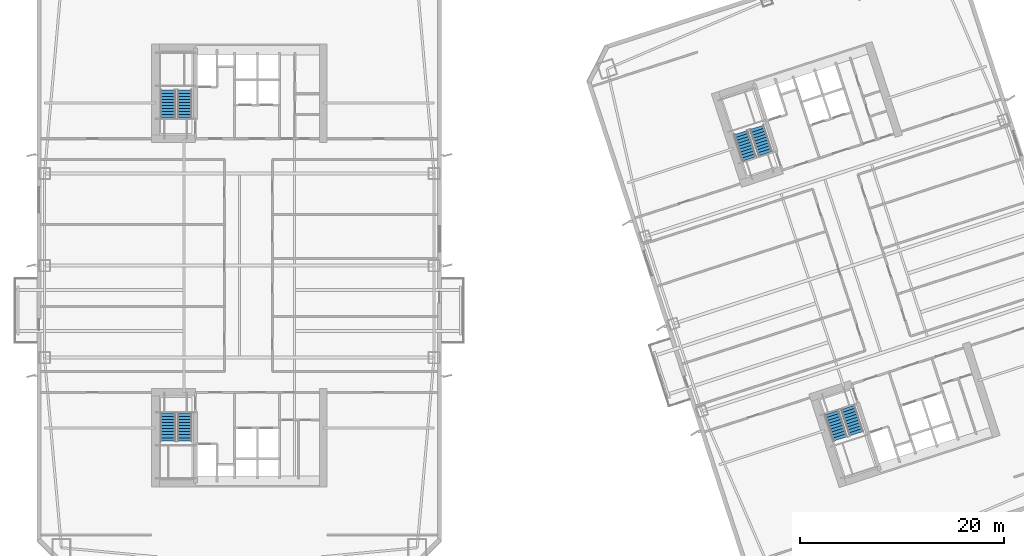
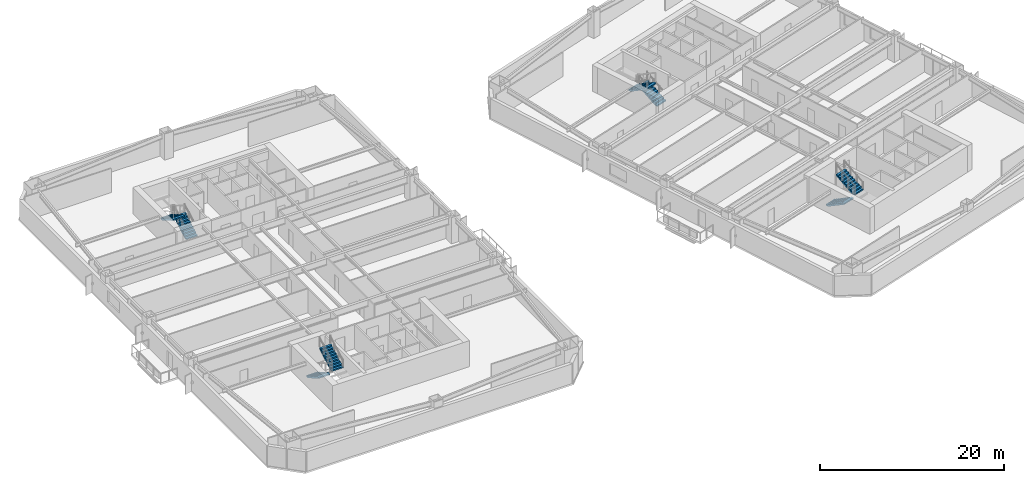
# One storey, part 10 of 18: 8 stair flights, 4 elements without a shape of their own.
"""IFC4 building model written with IfcOpenShell, lengths in metres."""

from ifc_helpers import new_model, si_unit, direction, frame, origin, place, context, subcontext, project, spatial, polyline, outline, extrude, material, type_object, element, aggregate, save


model = new_model("IFC4")

# Units and contexts
model_context = context("Model", 3, precision=1e-05, world=origin(), true_north=direction((0.0, 1.0)))
body_context = subcontext(model_context, "Body", "Model", "MODEL_VIEW")
ifc_project = project(units=[si_unit("LENGTHUNIT", "METRE"), si_unit("AREAUNIT", "SQUARE_METRE"), si_unit("VOLUMEUNIT", "CUBIC_METRE"), si_unit("PLANEANGLEUNIT", "RADIAN"), si_unit("MASSUNIT", "GRAM", prefix="KILO")], contexts=[model_context])

# Site, building, storey
site_placement = place(None, origin())
site = spatial("IfcSite", under=ifc_project, at=site_placement, CompositionType="ELEMENT")
building_placement = place(site_placement, origin())
building = spatial("IfcBuilding", under=site, at=building_placement, Name="Qiaolan Cultural Towers", CompositionType="ELEMENT")
storey_placement = place(building_placement, frame((0.0, 0.0, 67.85009765625)))
storey = spatial("IfcBuildingStorey", under=building, at=storey_placement, Name="L16", CompositionType="ELEMENT", Elevation=67.85009765625)

# Stair, stair flights
ifc_material_1 = material(Name="Concrete C45", Category="concrete")
stair_type = type_object("IfcStairType", Name="STR-CORE-1500", PredefinedType="HALF_TURN_STAIR", material=ifc_material_1)
stair_1_placement = place(storey_placement, origin())
stair_1 = element("IfcStair", 1, at=stair_1_placement, inside=storey, type_object=stair_type, Name="L16 Smokeproof Exit Stair ST-W1", PredefinedType="HALF_TURN_STAIR")
ifc_material_2 = material(Name="Concrete C45", Category="concrete")
stair_flight_type = type_object("IfcStairFlightType", Name="STR-CORE-1500-FL", PredefinedType="STRAIGHT", material=ifc_material_2)
stair_flight_1_placement = place(storey_placement, frame((23.02001953125, 19.550048828125, 0.0), z_axis=(0.0, 0.0, 1.0), x_axis=(0.0, -1.0, 0.0)))
stair_flight_1 = element("IfcStairFlight", 2, at=stair_flight_1_placement, type_object=stair_flight_type, Name="ST-W1 flight 1", NumberOfRisers=10, NumberOfTreads=9, PredefinedType="STRAIGHT", RiserHeight=0.1725, TreadLength=0.3, context=body_context, shape_type="SweptSolid", body=[
    extrude(outline(polyline([(0.0, 0.0), (0.0, 0.172607421875), (0.300048828125, 0.172607421875), (0.300048828125, 0.344970703125), (0.60009765625, 0.344970703125), (0.60009765625, 0.517578125), (0.89990234375, 0.517578125), (0.89990234375, 0.68994140625), (1.199951171875, 0.68994140625), (1.199951171875, 0.862548828125), (1.5, 0.862548828125), (1.5, 1.034912109375), (1.800048828125, 1.034912109375), (1.800048828125, 1.20751953125), (2.10009765625, 1.20751953125), (2.10009765625, 1.3798828125), (2.39990234375, 1.3798828125), (2.39990234375, 1.552490234375), (2.699951171875, 1.552490234375), (2.699951171875, 1.72509765625), (2.699951171875, 1.379638671875), (0.30078125, 0.0), (0.0, 0.0)])), frame((0.0, 0.719970703125, 0.0), z_axis=(0.0, -1.0, 0.0), x_axis=(1.0, 0.0, 0.0)), (0.0, 0.0, 1.0), 1.43994140625),
])
stair_flight_2_placement = place(storey_placement, frame((24.659912109375, 16.85009765625, 1.724853515625), z_axis=(0.0, 0.0, 1.0), x_axis=(0.0, 1.0, 0.0)))
stair_flight_2 = element("IfcStairFlight", 3, at=stair_flight_2_placement, type_object=stair_flight_type, Name="ST-W1 flight 2", NumberOfRisers=10, NumberOfTreads=9, PredefinedType="STRAIGHT", RiserHeight=0.1725, TreadLength=0.3, context=body_context, shape_type="SweptSolid", body=[
    extrude(outline(polyline([(0.0, 0.0), (0.0, 0.172607421875), (0.300048828125, 0.172607421875), (0.300048828125, 0.344970703125), (0.60009765625, 0.344970703125), (0.60009765625, 0.517578125), (0.89990234375, 0.517578125), (0.89990234375, 0.68994140625), (1.199951171875, 0.68994140625), (1.199951171875, 0.862548828125), (1.5, 0.862548828125), (1.5, 1.034912109375), (1.800048828125, 1.034912109375), (1.800048828125, 1.20751953125), (2.10009765625, 1.20751953125), (2.10009765625, 1.3798828125), (2.39990234375, 1.3798828125), (2.39990234375, 1.552490234375), (2.699951171875, 1.552490234375), (2.699951171875, 1.72509765625), (2.699951171875, 1.379638671875), (0.30078125, 0.0), (0.0, 0.0)])), frame((0.0, 0.719970703125, 0.0), z_axis=(0.0, -1.0, 0.0), x_axis=(1.0, 0.0, 0.0)), (0.0, 0.0, 1.0), 1.43994140625),
])
aggregate(stair_1, [stair_flight_1, stair_flight_2])

stair_2_placement = place(storey_placement, origin())
stair_2 = element("IfcStair", 4, at=stair_2_placement, inside=storey, type_object=stair_type, Name="L16 Smokeproof Exit Stair ST-W2", PredefinedType="HALF_TURN_STAIR")
stair_flight_3_placement = place(storey_placement, frame((24.659912109375, 48.449951171875, 0.0), z_axis=(0.0, 0.0, 1.0), x_axis=(0.0, 1.0, 0.0)))
stair_flight_3 = element("IfcStairFlight", 5, at=stair_flight_3_placement, type_object=stair_flight_type, Name="ST-W2 flight 1", NumberOfRisers=10, NumberOfTreads=9, PredefinedType="STRAIGHT", RiserHeight=0.1725, TreadLength=0.3, context=body_context, shape_type="SweptSolid", body=[
    extrude(outline(polyline([(0.0, 0.0), (0.0, 0.172607421875), (0.300048828125, 0.172607421875), (0.300048828125, 0.344970703125), (0.60009765625, 0.344970703125), (0.60009765625, 0.517578125), (0.89990234375, 0.517578125), (0.89990234375, 0.68994140625), (1.199951171875, 0.68994140625), (1.199951171875, 0.862548828125), (1.5, 0.862548828125), (1.5, 1.034912109375), (1.800048828125, 1.034912109375), (1.800048828125, 1.20751953125), (2.10009765625, 1.20751953125), (2.10009765625, 1.3798828125), (2.39990234375, 1.3798828125), (2.39990234375, 1.552490234375), (2.699951171875, 1.552490234375), (2.699951171875, 1.72509765625), (2.699951171875, 1.379638671875), (0.30078125, 0.0), (0.0, 0.0)])), frame((0.0, 0.719970703125, 0.0), z_axis=(0.0, -1.0, 0.0), x_axis=(1.0, 0.0, 0.0)), (0.0, 0.0, 1.0), 1.43994140625),
])
stair_flight_4_placement = place(storey_placement, frame((23.02001953125, 51.14990234375, 1.724853515625), z_axis=(0.0, 0.0, 1.0), x_axis=(0.0, -1.0, 0.0)))
stair_flight_4 = element("IfcStairFlight", 6, at=stair_flight_4_placement, type_object=stair_flight_type, Name="ST-W2 flight 2", NumberOfRisers=10, NumberOfTreads=9, PredefinedType="STRAIGHT", RiserHeight=0.1725, TreadLength=0.3, context=body_context, shape_type="SweptSolid", body=[
    extrude(outline(polyline([(0.0, 0.0), (0.0, 0.172607421875), (0.300048828125, 0.172607421875), (0.300048828125, 0.344970703125), (0.60009765625, 0.344970703125), (0.60009765625, 0.517578125), (0.89990234375, 0.517578125), (0.89990234375, 0.68994140625), (1.199951171875, 0.68994140625), (1.199951171875, 0.862548828125), (1.5, 0.862548828125), (1.5, 1.034912109375), (1.800048828125, 1.034912109375), (1.800048828125, 1.20751953125), (2.10009765625, 1.20751953125), (2.10009765625, 1.3798828125), (2.39990234375, 1.3798828125), (2.39990234375, 1.552490234375), (2.699951171875, 1.552490234375), (2.699951171875, 1.72509765625), (2.699951171875, 1.379638671875), (0.30078125, 0.0), (0.0, 0.0)])), frame((0.0, 0.719970703125, 0.0), z_axis=(0.0, -1.0, 0.0), x_axis=(1.0, 0.0, 0.0)), (0.0, 0.0, 1.0), 1.43994140625),
])
aggregate(stair_2, [stair_flight_3, stair_flight_4])

stair_3_placement = place(storey_placement, origin())
stair_3 = element("IfcStair", 7, at=stair_3_placement, inside=storey, type_object=stair_type, Name="L16 Smokeproof Exit Stair ST-E1", PredefinedType="HALF_TURN_STAIR")
stair_flight_5_placement = place(storey_placement, frame((87.96484375, 19.6171875, 0.0), z_axis=(0.0, 0.0, 1.0), x_axis=(0.309016994375, -0.951056516295, 0.0)))
stair_flight_5 = element("IfcStairFlight", 8, at=stair_flight_5_placement, type_object=stair_flight_type, Name="ST-E1 flight 1", NumberOfRisers=10, NumberOfTreads=9, PredefinedType="STRAIGHT", RiserHeight=0.1725, TreadLength=0.3, context=body_context, shape_type="SweptSolid", body=[
    extrude(outline(polyline([(0.0, 0.0), (0.0, 0.172607421875), (0.300048828125, 0.172607421875), (0.300048828125, 0.344970703125), (0.60009765625, 0.344970703125), (0.60009765625, 0.517578125), (0.89990234375, 0.517578125), (0.89990234375, 0.68994140625), (1.199951171875, 0.68994140625), (1.199951171875, 0.862548828125), (1.5, 0.862548828125), (1.5, 1.034912109375), (1.800048828125, 1.034912109375), (1.800048828125, 1.20751953125), (2.10009765625, 1.20751953125), (2.10009765625, 1.3798828125), (2.39990234375, 1.3798828125), (2.39990234375, 1.552490234375), (2.699951171875, 1.552490234375), (2.699951171875, 1.72509765625), (2.699951171875, 1.379638671875), (0.30078125, 0.0), (0.0, 0.0)])), frame((0.0, 0.719970703125, 0.0), z_axis=(0.0, -1.0, 0.0), x_axis=(1.0, 0.0, 0.0)), (0.0, 0.0, 1.0), 1.43994140625),
])
stair_flight_6_placement = place(storey_placement, frame((90.359130859375, 17.55615234375, 1.724853515625), z_axis=(0.0, 0.0, 1.0), x_axis=(-0.309016994375, 0.951056516295, 0.0)))
stair_flight_6 = element("IfcStairFlight", 9, at=stair_flight_6_placement, type_object=stair_flight_type, Name="ST-E1 flight 2", NumberOfRisers=10, NumberOfTreads=9, PredefinedType="STRAIGHT", RiserHeight=0.1725, TreadLength=0.3, context=body_context, shape_type="SweptSolid", body=[
    extrude(outline(polyline([(0.0, 0.0), (0.0, 0.172607421875), (0.300048828125, 0.172607421875), (0.300048828125, 0.344970703125), (0.60009765625, 0.344970703125), (0.60009765625, 0.517578125), (0.89990234375, 0.517578125), (0.89990234375, 0.68994140625), (1.199951171875, 0.68994140625), (1.199951171875, 0.862548828125), (1.5, 0.862548828125), (1.5, 1.034912109375), (1.800048828125, 1.034912109375), (1.800048828125, 1.20751953125), (2.10009765625, 1.20751953125), (2.10009765625, 1.3798828125), (2.39990234375, 1.3798828125), (2.39990234375, 1.552490234375), (2.699951171875, 1.552490234375), (2.699951171875, 1.72509765625), (2.699951171875, 1.379638671875), (0.30078125, 0.0), (0.0, 0.0)])), frame((0.0, 0.719970703125, 0.0), z_axis=(0.0, -1.0, 0.0), x_axis=(1.0, 0.0, 0.0)), (0.0, 0.0, 1.0), 1.43994140625),
])
aggregate(stair_3, [stair_flight_5, stair_flight_6])

stair_4_placement = place(storey_placement, origin())
stair_4 = element("IfcStair", 10, at=stair_4_placement, inside=storey, type_object=stair_type, Name="L16 Smokeproof Exit Stair ST-E2", PredefinedType="HALF_TURN_STAIR")
stair_flight_7_placement = place(storey_placement, frame((81.459228515625, 44.946533203125, 0.0), z_axis=(0.0, 0.0, 1.0), x_axis=(-0.309016994375, 0.951056516295, 0.0)))
stair_flight_7 = element("IfcStairFlight", 11, at=stair_flight_7_placement, type_object=stair_flight_type, Name="ST-E2 flight 1", NumberOfRisers=10, NumberOfTreads=9, PredefinedType="STRAIGHT", RiserHeight=0.1725, TreadLength=0.3, context=body_context, shape_type="SweptSolid", body=[
    extrude(outline(polyline([(0.0, 0.0), (0.0, 0.172607421875), (0.300048828125, 0.172607421875), (0.300048828125, 0.344970703125), (0.60009765625, 0.344970703125), (0.60009765625, 0.517578125), (0.89990234375, 0.517578125), (0.89990234375, 0.68994140625), (1.199951171875, 0.68994140625), (1.199951171875, 0.862548828125), (1.5, 0.862548828125), (1.5, 1.034912109375), (1.800048828125, 1.034912109375), (1.800048828125, 1.20751953125), (2.10009765625, 1.20751953125), (2.10009765625, 1.3798828125), (2.39990234375, 1.3798828125), (2.39990234375, 1.552490234375), (2.699951171875, 1.552490234375), (2.699951171875, 1.72509765625), (2.699951171875, 1.379638671875), (0.30078125, 0.0), (0.0, 0.0)])), frame((0.0, 0.719970703125, 0.0), z_axis=(0.0, -1.0, 0.0), x_axis=(1.0, 0.0, 0.0)), (0.0, 0.0, 1.0), 1.43994140625),
])
stair_flight_8_placement = place(storey_placement, frame((79.065185546875, 47.007568359375, 1.724853515625), z_axis=(0.0, 0.0, 1.0), x_axis=(0.309016994375, -0.951056516295, 0.0)))
stair_flight_8 = element("IfcStairFlight", 12, at=stair_flight_8_placement, type_object=stair_flight_type, Name="ST-E2 flight 2", NumberOfRisers=10, NumberOfTreads=9, PredefinedType="STRAIGHT", RiserHeight=0.1725, TreadLength=0.3, context=body_context, shape_type="SweptSolid", body=[
    extrude(outline(polyline([(0.0, 0.0), (0.0, 0.172607421875), (0.300048828125, 0.172607421875), (0.300048828125, 0.344970703125), (0.60009765625, 0.344970703125), (0.60009765625, 0.517578125), (0.89990234375, 0.517578125), (0.89990234375, 0.68994140625), (1.199951171875, 0.68994140625), (1.199951171875, 0.862548828125), (1.5, 0.862548828125), (1.5, 1.034912109375), (1.800048828125, 1.034912109375), (1.800048828125, 1.20751953125), (2.10009765625, 1.20751953125), (2.10009765625, 1.3798828125), (2.39990234375, 1.3798828125), (2.39990234375, 1.552490234375), (2.699951171875, 1.552490234375), (2.699951171875, 1.72509765625), (2.699951171875, 1.379638671875), (0.30078125, 0.0), (0.0, 0.0)])), frame((0.0, 0.719970703125, 0.0), z_axis=(0.0, -1.0, 0.0), x_axis=(1.0, 0.0, 0.0)), (0.0, 0.0, 1.0), 1.43994140625),
])
aggregate(stair_4, [stair_flight_7, stair_flight_8])

save(model, "model.ifc")
